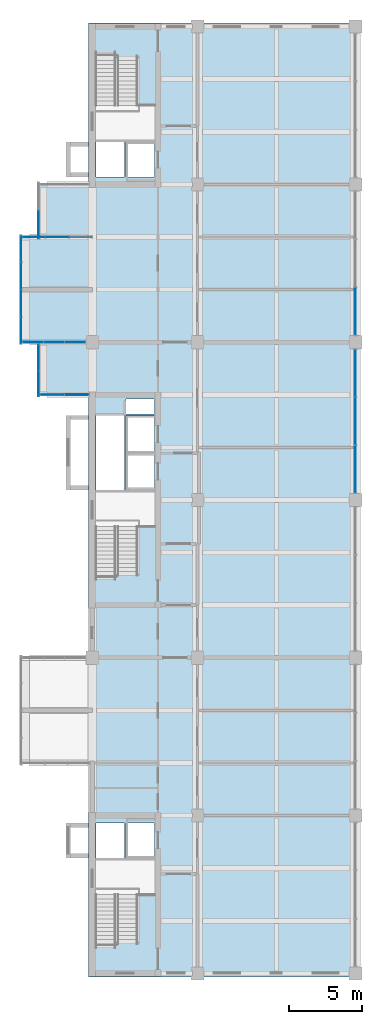
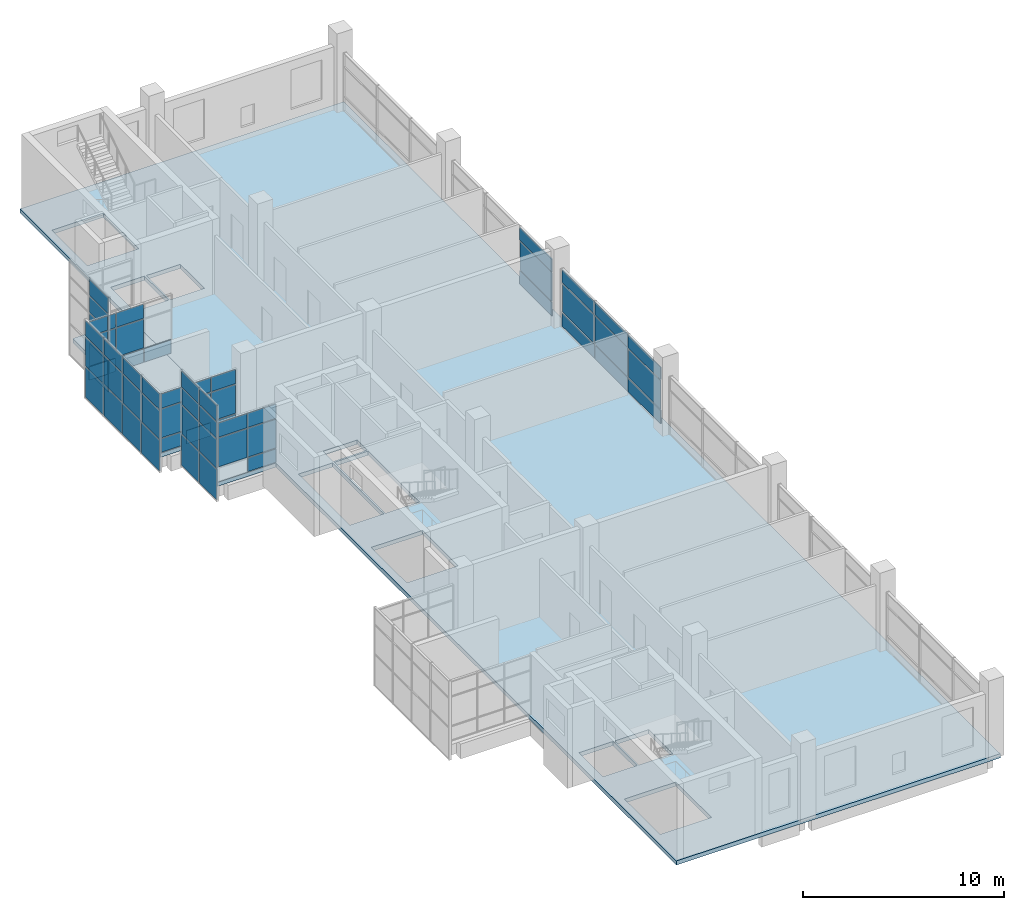
# One storey, part 10 of 15: 57 plates, 2 slabs, 8 elements without a shape of their own.
"""IFC4 building model written with IfcOpenShell, lengths in metres."""

from ifc_helpers import new_model, si_unit, direction, frame, origin, origin_2d, place, context, subcontext, project, spatial, polyline, rectangle, outline, extrude, material, layer, layer_set, type_object, element, aggregate, save


model = new_model("IFC4")

# Units and contexts
model_context = context("Model", 3, precision=1e-05, world=origin(), true_north=direction((0.0, 1.0)))
body_context = subcontext(model_context, "Body", "Model", "MODEL_VIEW")
ifc_project = project(units=[si_unit("LENGTHUNIT", "METRE"), si_unit("AREAUNIT", "SQUARE_METRE"), si_unit("VOLUMEUNIT", "CUBIC_METRE"), si_unit("PLANEANGLEUNIT", "RADIAN"), si_unit("MASSUNIT", "GRAM", prefix="KILO")], contexts=[model_context])

# Site, building, storey
site_placement = place(None, origin())
site = spatial("IfcSite", under=ifc_project, at=site_placement, CompositionType="ELEMENT")
building_placement = place(site_placement, origin())
building = spatial("IfcBuilding", under=site, at=building_placement, Name="Basin Gate Institute", CompositionType="ELEMENT")
storey_placement = place(building_placement, frame((0.0, 0.0, 55.800048828125)))
storey = spatial("IfcBuildingStorey", under=building, at=storey_placement, Name="L11", CompositionType="ELEMENT", Elevation=55.800048828125)

# Slabs
ifc_material_1 = material(Name="Concrete 40 MPa", Category="concrete")
ifc_layer_1 = layer(ifc_material_1, 0.25)
ifc_layer_set_1 = layer_set([ifc_layer_1], Name="Concrete 40 MPa")
slab_type = type_object("IfcSlabType", Name="Slab SL4 R120", PredefinedType="FLOOR", material=ifc_layer_set_1)
slab_1_placement = place(storey_placement, frame((0.0, 0.0, -0.25)))
element("IfcSlab", 1, at=slab_1_placement, inside=storey, type_object=slab_type, material=ifc_layer_set_1, Name="SLAB/L11/W", PredefinedType="FLOOR", context=body_context, shape_type="SweptSolid", body=[
    extrude(outline(polyline([(60.949951171875, 34.85009765625), (79.550048828125, 34.85009765625), (79.550048828125, 100.14990234375), (60.949951171875, 100.14990234375), (60.949951171875, 34.85009765625)]), holes=[polyline([(61.39990234375, 37.25), (64.35009765625, 37.25), (64.35009765625, 40.7900390625), (61.39990234375, 40.7900390625), (61.39990234375, 37.25)]), polyline([(61.39990234375, 62.449951171875), (64.35009765625, 62.449951171875), (64.35009765625, 65.989990234375), (61.39990234375, 65.989990234375), (61.39990234375, 62.449951171875)]), polyline([(61.39990234375, 94.2099609375), (64.35009765625, 94.2099609375), (64.35009765625, 97.75), (61.39990234375, 97.75), (61.39990234375, 94.2099609375)]), polyline([(61.449951171875, 43.0), (63.39990234375, 43.0), (63.39990234375, 45.39990234375), (61.449951171875, 45.39990234375), (61.449951171875, 43.0)]), polyline([(61.449951171875, 68.199951171875), (63.39990234375, 68.199951171875), (63.39990234375, 73.300048828125), (61.449951171875, 73.300048828125), (61.449951171875, 68.199951171875)]), polyline([(63.5, 73.39990234375), (65.449951171875, 73.39990234375), (65.449951171875, 74.39990234375), (63.5, 74.39990234375), (63.5, 73.39990234375)]), polyline([(61.449951171875, 89.60009765625), (63.39990234375, 89.60009765625), (63.39990234375, 92.0), (61.449951171875, 92.0), (61.449951171875, 89.60009765625)]), polyline([(63.5, 43.0), (65.449951171875, 43.0), (65.449951171875, 45.39990234375), (63.5, 45.39990234375), (63.5, 43.0)]), polyline([(65.449951171875, 68.199951171875), (63.5, 68.199951171875), (63.5, 73.300048828125), (65.449951171875, 73.300048828125), (65.449951171875, 68.199951171875)]), polyline([(63.5, 89.60009765625), (65.449951171875, 89.60009765625), (65.449951171875, 92.0), (63.5, 92.0), (63.5, 89.60009765625)])]), origin(), (0.0, 0.0, 1.0), 0.25),
])
slab_2_placement = place(storey_placement, frame((0.0, 0.0, -0.25)))
element("IfcSlab", 2, at=slab_2_placement, inside=storey, type_object=slab_type, material=ifc_layer_set_1, Name="SLAB/L11/WK21", PredefinedType="FLOOR", context=body_context, shape_type="SweptSolid", body=[
    extrude(outline(polyline([(57.60009765625, 74.699951171875), (57.60009765625, 78.300048828125), (56.39990234375, 78.300048828125), (56.39990234375, 85.5), (57.60009765625, 85.5), (57.60009765625, 89.10009765625), (60.949951171875, 89.10009765625), (60.949951171875, 74.699951171875), (57.60009765625, 74.699951171875)])), origin(), (0.0, 0.0, 1.0), 0.25),
])

# Curtain wall, plates
ifc_material_2 = material(Name="Aluminium-framed glazing", Category="aluminium")
ifc_layer_2 = layer(ifc_material_2, 0.199951171875)
ifc_layer_set_2 = layer_set([ifc_layer_2], Name="Atrium curtain wall CW2")
curtain_wall_type_1 = type_object("IfcCurtainWallType", Name="Atrium curtain wall CW2", PredefinedType="NOTDEFINED", material=ifc_layer_set_2)
curtain_wall_1_placement = place(storey_placement, origin())
curtain_wall_1 = element("IfcCurtainWall", 3, at=curtain_wall_1_placement, inside=storey, type_object=curtain_wall_type_1, material=ifc_layer_set_2, Name="Atrium curtain wall W wing atrium bay 4 L11", PredefinedType="NOTDEFINED")
ifc_material_3 = material(Name="Aluminium insulated spandrel panel", Category="aluminium")
ifc_layer_3 = layer(ifc_material_3, 0.050048828125)
ifc_layer_set_3 = layer_set([ifc_layer_3], Name="Spandrel panel PN2")
plate_type_1 = type_object("IfcPlateType", Name="Spandrel panel PN2", PredefinedType="CURTAIN_PANEL", material=ifc_layer_set_3)
plate_1_placement = place(storey_placement, frame((79.199951171875, 69.614990234375, 0.059814453125), z_axis=(0.0, 0.0, 1.0), x_axis=(0.0, 1.0, 0.0)))
plate_1 = element("IfcPlate", 4, at=plate_1_placement, type_object=plate_type_1, material=ifc_layer_set_3, Name="CW2 spandrel panel 1.1", PredefinedType="CURTAIN_PANEL", context=body_context, shape_type="SweptSolid", body=[
    extrude(rectangle(XDim=3.2099609375, YDim=0.050048828125, at=origin_2d()), origin(), (0.0, 0.0, 1.0), 0.81005859375),
])
plate_2_placement = place(storey_placement, frame((79.199951171875, 69.614990234375, 2.72998046875), z_axis=(0.0, 0.0, 1.0), x_axis=(0.0, 1.0, 0.0)))
plate_2 = element("IfcPlate", 5, at=plate_2_placement, type_object=plate_type_1, material=ifc_layer_set_3, Name="CW2 spandrel panel 1.3", PredefinedType="CURTAIN_PANEL", context=body_context, shape_type="SweptSolid", body=[
    extrude(rectangle(XDim=3.2099609375, YDim=0.050048828125, at=origin_2d()), origin(), (0.0, 0.0, 1.0), 0.760009765625),
])
plate_3_placement = place(storey_placement, frame((79.199951171875, 72.89990234375, 0.059814453125), z_axis=(0.0, 0.0, 1.0), x_axis=(0.0, 1.0, 0.0)))
plate_3 = element("IfcPlate", 6, at=plate_3_placement, type_object=plate_type_1, material=ifc_layer_set_3, Name="CW2 spandrel panel 2.1", PredefinedType="CURTAIN_PANEL", context=body_context, shape_type="SweptSolid", body=[
    extrude(rectangle(XDim=3.239990234375, YDim=0.050048828125, at=origin_2d()), origin(), (0.0, 0.0, 1.0), 0.81005859375),
])
plate_4_placement = place(storey_placement, frame((79.199951171875, 72.89990234375, 2.72998046875), z_axis=(0.0, 0.0, 1.0), x_axis=(0.0, 1.0, 0.0)))
plate_4 = element("IfcPlate", 7, at=plate_4_placement, type_object=plate_type_1, material=ifc_layer_set_3, Name="CW2 spandrel panel 2.3", PredefinedType="CURTAIN_PANEL", context=body_context, shape_type="SweptSolid", body=[
    extrude(rectangle(XDim=3.239990234375, YDim=0.050048828125, at=origin_2d()), origin(), (0.0, 0.0, 1.0), 0.760009765625),
])
plate_5_placement = place(storey_placement, frame((79.199951171875, 76.18505859375, 0.059814453125), z_axis=(0.0, 0.0, 1.0), x_axis=(0.0, 1.0, 0.0)))
plate_5 = element("IfcPlate", 8, at=plate_5_placement, type_object=plate_type_1, material=ifc_layer_set_3, Name="CW2 spandrel panel 3.1", PredefinedType="CURTAIN_PANEL", context=body_context, shape_type="SweptSolid", body=[
    extrude(rectangle(XDim=3.2099609375, YDim=0.050048828125, at=origin_2d()), origin(), (0.0, 0.0, 1.0), 0.81005859375),
])
plate_6_placement = place(storey_placement, frame((79.199951171875, 76.18505859375, 2.72998046875), z_axis=(0.0, 0.0, 1.0), x_axis=(0.0, 1.0, 0.0)))
plate_6 = element("IfcPlate", 9, at=plate_6_placement, type_object=plate_type_1, material=ifc_layer_set_3, Name="CW2 spandrel panel 3.3", PredefinedType="CURTAIN_PANEL", context=body_context, shape_type="SweptSolid", body=[
    extrude(rectangle(XDim=3.2099609375, YDim=0.050048828125, at=origin_2d()), origin(), (0.0, 0.0, 1.0), 0.760009765625),
])

curtain_wall_2_placement = place(storey_placement, origin())
curtain_wall_2 = element("IfcCurtainWall", 10, at=curtain_wall_2_placement, inside=storey, type_object=curtain_wall_type_1, material=ifc_layer_set_2, Name="Atrium curtain wall W wing atrium bay 5 L11", PredefinedType="NOTDEFINED")
plate_7_placement = place(storey_placement, frame((79.199951171875, 80.4150390625, 0.059814453125), z_axis=(0.0, 0.0, 1.0), x_axis=(0.0, 1.0, 0.0)))
plate_7 = element("IfcPlate", 11, at=plate_7_placement, type_object=plate_type_1, material=ifc_layer_set_3, Name="CW2 spandrel panel 1.1", PredefinedType="CURTAIN_PANEL", context=body_context, shape_type="SweptSolid", body=[
    extrude(rectangle(XDim=3.2099609375, YDim=0.050048828125, at=origin_2d()), origin(), (0.0, 0.0, 1.0), 0.81005859375),
])
plate_8_placement = place(storey_placement, frame((79.199951171875, 80.4150390625, 2.72998046875), z_axis=(0.0, 0.0, 1.0), x_axis=(0.0, 1.0, 0.0)))
plate_8 = element("IfcPlate", 12, at=plate_8_placement, type_object=plate_type_1, material=ifc_layer_set_3, Name="CW2 spandrel panel 1.3", PredefinedType="CURTAIN_PANEL", context=body_context, shape_type="SweptSolid", body=[
    extrude(rectangle(XDim=3.2099609375, YDim=0.050048828125, at=origin_2d()), origin(), (0.0, 0.0, 1.0), 0.760009765625),
])

# Curtain wall, plate
ifc_material_4 = material(Name="Aluminium-framed glazing", Category="aluminium")
ifc_layer_4 = layer(ifc_material_4, 0.14990234375)
ifc_layer_set_4 = layer_set([ifc_layer_4], Name="Capsule front curtain wall CW1")
curtain_wall_type_2 = type_object("IfcCurtainWallType", Name="Capsule front curtain wall CW1", PredefinedType="NOTDEFINED", material=ifc_layer_set_4)
curtain_wall_3_placement = place(storey_placement, origin())
curtain_wall_3 = element("IfcCurtainWall", 13, at=curtain_wall_3_placement, inside=storey, type_object=curtain_wall_type_2, material=ifc_layer_set_4, Name="Capsule front curtain wall W wing capsule end L11 line 12", PredefinedType="NOTDEFINED")
plate_9_placement = place(storey_placement, frame((60.137451171875, 74.699951171875, 0.059814453125), z_axis=(0.0, 0.0, 1.0), x_axis=(1.0, 0.0, 0.0)))
plate_9 = element("IfcPlate", 14, at=plate_9_placement, type_object=plate_type_1, material=ifc_layer_set_3, Name="CW1 spandrel panel 2.1", PredefinedType="CURTAIN_PANEL", context=body_context, shape_type="SweptSolid", body=[
    extrude(rectangle(XDim=1.625, YDim=0.050048828125, at=origin_2d()), origin(), (0.0, 0.0, 1.0), 0.81005859375),
])

# Curtain wall, plates
curtain_wall_4_placement = place(storey_placement, origin())
curtain_wall_4 = element("IfcCurtainWall", 15, at=curtain_wall_4_placement, inside=storey, type_object=curtain_wall_type_2, material=ifc_layer_set_4, Name="Capsule front curtain wall W wing capsule end L11 line 13", PredefinedType="NOTDEFINED")
plate_10_placement = place(storey_placement, frame((57.137451171875, 78.300048828125, 0.059814453125), z_axis=(0.0, 0.0, 1.0), x_axis=(1.0, 0.0, 0.0)))
plate_10 = element("IfcPlate", 16, at=plate_10_placement, type_object=plate_type_1, material=ifc_layer_set_3, Name="CW1 spandrel panel 1.1", PredefinedType="CURTAIN_PANEL", context=body_context, shape_type="SweptSolid", body=[
    extrude(rectangle(XDim=1.375, YDim=0.050048828125, at=origin_2d()), origin(), (0.0, 0.0, 1.0), 0.81005859375),
])
plate_11_placement = place(storey_placement, frame((58.574951171875, 78.300048828125, 0.059814453125), z_axis=(0.0, 0.0, 1.0), x_axis=(1.0, 0.0, 0.0)))
plate_11 = element("IfcPlate", 17, at=plate_11_placement, type_object=plate_type_1, material=ifc_layer_set_3, Name="CW1 spandrel panel 2.1", PredefinedType="CURTAIN_PANEL", context=body_context, shape_type="SweptSolid", body=[
    extrude(rectangle(XDim=1.39990234375, YDim=0.050048828125, at=origin_2d()), origin(), (0.0, 0.0, 1.0), 0.81005859375),
])
plate_12_placement = place(storey_placement, frame((60.012451171875, 78.300048828125, 0.059814453125), z_axis=(0.0, 0.0, 1.0), x_axis=(1.0, 0.0, 0.0)))
plate_12 = element("IfcPlate", 18, at=plate_12_placement, type_object=plate_type_1, material=ifc_layer_set_3, Name="CW1 spandrel panel 3.1", PredefinedType="CURTAIN_PANEL", context=body_context, shape_type="SweptSolid", body=[
    extrude(rectangle(XDim=1.375, YDim=0.050048828125, at=origin_2d()), origin(), (0.0, 0.0, 1.0), 0.81005859375),
])

curtain_wall_5_placement = place(storey_placement, origin())
curtain_wall_5 = element("IfcCurtainWall", 19, at=curtain_wall_5_placement, inside=storey, type_object=curtain_wall_type_2, material=ifc_layer_set_4, Name="Capsule front curtain wall W wing capsule end L11 line 15", PredefinedType="NOTDEFINED")
plate_13_placement = place(storey_placement, frame((57.21240234375, 85.5, 0.059814453125), z_axis=(0.0, 0.0, 1.0), x_axis=(1.0, 0.0, 0.0)))
plate_13 = element("IfcPlate", 20, at=plate_13_placement, type_object=plate_type_1, material=ifc_layer_set_3, Name="CW1 spandrel panel 1.1", PredefinedType="CURTAIN_PANEL", context=body_context, shape_type="SweptSolid", body=[
    extrude(rectangle(XDim=1.52490234375, YDim=0.050048828125, at=origin_2d()), origin(), (0.0, 0.0, 1.0), 0.81005859375),
])
plate_14_placement = place(storey_placement, frame((58.800048828125, 85.5, 0.059814453125), z_axis=(0.0, 0.0, 1.0), x_axis=(1.0, 0.0, 0.0)))
plate_14 = element("IfcPlate", 21, at=plate_14_placement, type_object=plate_type_1, material=ifc_layer_set_3, Name="CW1 spandrel panel 2.1", PredefinedType="CURTAIN_PANEL", context=body_context, shape_type="SweptSolid", body=[
    extrude(rectangle(XDim=1.550048828125, YDim=0.050048828125, at=origin_2d()), origin(), (0.0, 0.0, 1.0), 0.81005859375),
])
plate_15_placement = place(storey_placement, frame((60.387451171875, 85.5, 0.059814453125), z_axis=(0.0, 0.0, 1.0), x_axis=(1.0, 0.0, 0.0)))
plate_15 = element("IfcPlate", 22, at=plate_15_placement, type_object=plate_type_1, material=ifc_layer_set_3, Name="CW1 spandrel panel 3.1", PredefinedType="CURTAIN_PANEL", context=body_context, shape_type="SweptSolid", body=[
    extrude(rectangle(XDim=1.52490234375, YDim=0.050048828125, at=origin_2d()), origin(), (0.0, 0.0, 1.0), 0.81005859375),
])

curtain_wall_6_placement = place(storey_placement, origin())
curtain_wall_6 = element("IfcCurtainWall", 23, at=curtain_wall_6_placement, inside=storey, type_object=curtain_wall_type_2, material=ifc_layer_set_4, Name="Capsule front curtain wall W wing capsule 2 L11 front 1", PredefinedType="NOTDEFINED")
plate_16_placement = place(storey_placement, frame((57.52490234375, 75.46240234375, -0.990234375), z_axis=(0.0, 0.0, 1.0), x_axis=(0.0, 1.0, 0.0)))
plate_16 = element("IfcPlate", 24, at=plate_16_placement, type_object=plate_type_1, material=ifc_layer_set_3, Name="CW1 spandrel panel 1.1", PredefinedType="CURTAIN_PANEL", context=body_context, shape_type="SweptSolid", body=[
    extrude(rectangle(XDim=1.72509765625, YDim=0.050048828125, at=origin_2d()), origin(), (0.0, 0.0, 1.0), 1.860107421875),
])
plate_17_placement = place(storey_placement, frame((57.52490234375, 75.46240234375, 3.780029296875), z_axis=(0.0, 0.0, 1.0), x_axis=(0.0, 1.0, 0.0)))
plate_17 = element("IfcPlate", 25, at=plate_17_placement, type_object=plate_type_1, material=ifc_layer_set_3, Name="CW1 spandrel panel 1.4", PredefinedType="CURTAIN_PANEL", context=body_context, shape_type="SweptSolid", body=[
    extrude(rectangle(XDim=1.72509765625, YDim=0.050048828125, at=origin_2d()), origin(), (0.0, 0.0, 1.0), 0.9599609375),
])
plate_18_placement = place(storey_placement, frame((57.52490234375, 77.237548828125, -0.990234375), z_axis=(0.0, 0.0, 1.0), x_axis=(0.0, 1.0, 0.0)))
plate_18 = element("IfcPlate", 26, at=plate_18_placement, type_object=plate_type_1, material=ifc_layer_set_3, Name="CW1 spandrel panel 2.1", PredefinedType="CURTAIN_PANEL", context=body_context, shape_type="SweptSolid", body=[
    extrude(rectangle(XDim=1.72509765625, YDim=0.050048828125, at=origin_2d()), origin(), (0.0, 0.0, 1.0), 1.860107421875),
])
plate_19_placement = place(storey_placement, frame((57.52490234375, 77.237548828125, 3.780029296875), z_axis=(0.0, 0.0, 1.0), x_axis=(0.0, 1.0, 0.0)))
plate_19 = element("IfcPlate", 27, at=plate_19_placement, type_object=plate_type_1, material=ifc_layer_set_3, Name="CW1 spandrel panel 2.4", PredefinedType="CURTAIN_PANEL", context=body_context, shape_type="SweptSolid", body=[
    extrude(rectangle(XDim=1.72509765625, YDim=0.050048828125, at=origin_2d()), origin(), (0.0, 0.0, 1.0), 0.9599609375),
])

curtain_wall_7_placement = place(storey_placement, origin())
curtain_wall_7 = element("IfcCurtainWall", 28, at=curtain_wall_7_placement, inside=storey, type_object=curtain_wall_type_2, material=ifc_layer_set_4, Name="Capsule front curtain wall W wing capsule 2 L11 front 2", PredefinedType="NOTDEFINED")
plate_20_placement = place(storey_placement, frame((56.324951171875, 79.10009765625, -0.990234375), z_axis=(0.0, 0.0, 1.0), x_axis=(0.0, 1.0, 0.0)))
plate_20 = element("IfcPlate", 29, at=plate_20_placement, type_object=plate_type_1, material=ifc_layer_set_3, Name="CW1 spandrel panel 1.1", PredefinedType="CURTAIN_PANEL", context=body_context, shape_type="SweptSolid", body=[
    extrude(rectangle(XDim=1.800048828125, YDim=0.050048828125, at=origin_2d()), origin(), (0.0, 0.0, 1.0), 1.860107421875),
])
plate_21_placement = place(storey_placement, frame((56.324951171875, 80.96240234375, -0.990234375), z_axis=(0.0, 0.0, 1.0), x_axis=(0.0, 1.0, 0.0)))
plate_21 = element("IfcPlate", 30, at=plate_21_placement, type_object=plate_type_1, material=ifc_layer_set_3, Name="CW1 spandrel panel 2.1", PredefinedType="CURTAIN_PANEL", context=body_context, shape_type="SweptSolid", body=[
    extrude(rectangle(XDim=1.824951171875, YDim=0.050048828125, at=origin_2d()), origin(), (0.0, 0.0, 1.0), 1.860107421875),
])
plate_22_placement = place(storey_placement, frame((56.324951171875, 82.83740234375, -0.990234375), z_axis=(0.0, 0.0, 1.0), x_axis=(0.0, 1.0, 0.0)))
plate_22 = element("IfcPlate", 31, at=plate_22_placement, type_object=plate_type_1, material=ifc_layer_set_3, Name="CW1 spandrel panel 3.1", PredefinedType="CURTAIN_PANEL", context=body_context, shape_type="SweptSolid", body=[
    extrude(rectangle(XDim=1.824951171875, YDim=0.050048828125, at=origin_2d()), origin(), (0.0, 0.0, 1.0), 1.860107421875),
])
plate_23_placement = place(storey_placement, frame((56.324951171875, 84.699951171875, -0.990234375), z_axis=(0.0, 0.0, 1.0), x_axis=(0.0, 1.0, 0.0)))
plate_23 = element("IfcPlate", 32, at=plate_23_placement, type_object=plate_type_1, material=ifc_layer_set_3, Name="CW1 spandrel panel 4.1", PredefinedType="CURTAIN_PANEL", context=body_context, shape_type="SweptSolid", body=[
    extrude(rectangle(XDim=1.800048828125, YDim=0.050048828125, at=origin_2d()), origin(), (0.0, 0.0, 1.0), 1.860107421875),
])

curtain_wall_8_placement = place(storey_placement, origin())
curtain_wall_8 = element("IfcCurtainWall", 33, at=curtain_wall_8_placement, inside=storey, type_object=curtain_wall_type_2, material=ifc_layer_set_4, Name="Capsule front curtain wall W wing capsule 2 L11 front 4", PredefinedType="NOTDEFINED")
plate_24_placement = place(storey_placement, frame((57.52490234375, 86.33740234375, -0.990234375), z_axis=(0.0, 0.0, 1.0), x_axis=(0.0, 1.0, 0.0)))
plate_24 = element("IfcPlate", 34, at=plate_24_placement, type_object=plate_type_1, material=ifc_layer_set_3, Name="CW1 spandrel panel 1.1", PredefinedType="CURTAIN_PANEL", context=body_context, shape_type="SweptSolid", body=[
    extrude(rectangle(XDim=1.875, YDim=0.050048828125, at=origin_2d()), origin(), (0.0, 0.0, 1.0), 1.860107421875),
])
plate_25_placement = place(storey_placement, frame((57.52490234375, 86.33740234375, 3.780029296875), z_axis=(0.0, 0.0, 1.0), x_axis=(0.0, 1.0, 0.0)))
plate_25 = element("IfcPlate", 35, at=plate_25_placement, type_object=plate_type_1, material=ifc_layer_set_3, Name="CW1 spandrel panel 1.4", PredefinedType="CURTAIN_PANEL", context=body_context, shape_type="SweptSolid", body=[
    extrude(rectangle(XDim=1.875, YDim=0.050048828125, at=origin_2d()), origin(), (0.0, 0.0, 1.0), 0.9599609375),
])

# Plate
ifc_material_5 = material(Name="Double glazed unit")
ifc_layer_5 = layer(ifc_material_5, 0.028076171875)
ifc_layer_set_5 = layer_set([ifc_layer_5], Name="Vision panel PN1")
plate_type_2 = type_object("IfcPlateType", Name="Vision panel PN1", PredefinedType="CURTAIN_PANEL", material=ifc_layer_set_5)
plate_26_placement = place(storey_placement, frame((79.199951171875, 69.614990234375, 0.93017578125), z_axis=(0.0, 0.0, 1.0), x_axis=(0.0, 1.0, 0.0)))
plate_26 = element("IfcPlate", 36, at=plate_26_placement, type_object=plate_type_2, material=ifc_layer_set_5, Name="CW2 vision panel 1.2", PredefinedType="CURTAIN_PANEL", context=body_context, shape_type="SweptSolid", body=[
    extrude(rectangle(XDim=3.2099609375, YDim=0.028076171875, at=origin_2d()), origin(), (0.0, 0.0, 1.0), 1.739990234375),
])

plate_27_placement = place(storey_placement, frame((79.199951171875, 72.89990234375, 0.93017578125), z_axis=(0.0, 0.0, 1.0), x_axis=(0.0, 1.0, 0.0)))
plate_27 = element("IfcPlate", 37, at=plate_27_placement, type_object=plate_type_2, material=ifc_layer_set_5, Name="CW2 vision panel 2.2", PredefinedType="CURTAIN_PANEL", context=body_context, shape_type="SweptSolid", body=[
    extrude(rectangle(XDim=3.239990234375, YDim=0.028076171875, at=origin_2d()), origin(), (0.0, 0.0, 1.0), 1.739990234375),
])

plate_28_placement = place(storey_placement, frame((79.199951171875, 76.18505859375, 0.93017578125), z_axis=(0.0, 0.0, 1.0), x_axis=(0.0, 1.0, 0.0)))
plate_28 = element("IfcPlate", 38, at=plate_28_placement, type_object=plate_type_2, material=ifc_layer_set_5, Name="CW2 vision panel 3.2", PredefinedType="CURTAIN_PANEL", context=body_context, shape_type="SweptSolid", body=[
    extrude(rectangle(XDim=3.2099609375, YDim=0.028076171875, at=origin_2d()), origin(), (0.0, 0.0, 1.0), 1.739990234375),
])

aggregate(curtain_wall_1, [plate_1, plate_26, plate_2, plate_3, plate_27, plate_4, plate_5, plate_28, plate_6])

plate_29_placement = place(storey_placement, frame((79.199951171875, 80.4150390625, 0.93017578125), z_axis=(0.0, 0.0, 1.0), x_axis=(0.0, 1.0, 0.0)))
plate_29 = element("IfcPlate", 39, at=plate_29_placement, type_object=plate_type_2, material=ifc_layer_set_5, Name="CW2 vision panel 1.2", PredefinedType="CURTAIN_PANEL", context=body_context, shape_type="SweptSolid", body=[
    extrude(rectangle(XDim=3.2099609375, YDim=0.028076171875, at=origin_2d()), origin(), (0.0, 0.0, 1.0), 1.739990234375),
])

aggregate(curtain_wall_2, [plate_7, plate_29, plate_8])

plate_30_placement = place(storey_placement, frame((58.46240234375, 74.699951171875, 0.93017578125), z_axis=(0.0, 0.0, 1.0), x_axis=(1.0, 0.0, 0.0)))
plate_30 = element("IfcPlate", 40, at=plate_30_placement, type_object=plate_type_2, material=ifc_layer_set_5, Name="CW1 vision panel 1.2", PredefinedType="CURTAIN_PANEL", context=body_context, shape_type="SweptSolid", body=[
    extrude(rectangle(XDim=1.625, YDim=0.028076171875, at=origin_2d()), origin(), (0.0, 0.0, 1.0), 1.739990234375),
])

plate_31_placement = place(storey_placement, frame((58.46240234375, 74.699951171875, 2.72998046875), z_axis=(0.0, 0.0, 1.0), x_axis=(1.0, 0.0, 0.0)))
plate_31 = element("IfcPlate", 41, at=plate_31_placement, type_object=plate_type_2, material=ifc_layer_set_5, Name="CW1 vision panel 1.3", PredefinedType="CURTAIN_PANEL", context=body_context, shape_type="SweptSolid", body=[
    extrude(rectangle(XDim=1.625, YDim=0.028076171875, at=origin_2d()), origin(), (0.0, 0.0, 1.0), 0.860107421875),
])

plate_32_placement = place(storey_placement, frame((60.137451171875, 74.699951171875, 0.93017578125), z_axis=(0.0, 0.0, 1.0), x_axis=(1.0, 0.0, 0.0)))
plate_32 = element("IfcPlate", 42, at=plate_32_placement, type_object=plate_type_2, material=ifc_layer_set_5, Name="CW1 vision panel 2.2", PredefinedType="CURTAIN_PANEL", context=body_context, shape_type="SweptSolid", body=[
    extrude(rectangle(XDim=1.625, YDim=0.028076171875, at=origin_2d()), origin(), (0.0, 0.0, 1.0), 1.739990234375),
])

plate_33_placement = place(storey_placement, frame((60.137451171875, 74.699951171875, 2.72998046875), z_axis=(0.0, 0.0, 1.0), x_axis=(1.0, 0.0, 0.0)))
plate_33 = element("IfcPlate", 43, at=plate_33_placement, type_object=plate_type_2, material=ifc_layer_set_5, Name="CW1 vision panel 2.3", PredefinedType="CURTAIN_PANEL", context=body_context, shape_type="SweptSolid", body=[
    extrude(rectangle(XDim=1.625, YDim=0.028076171875, at=origin_2d()), origin(), (0.0, 0.0, 1.0), 0.860107421875),
])

aggregate(curtain_wall_3, [plate_30, plate_31, plate_9, plate_32, plate_33])

plate_34_placement = place(storey_placement, frame((57.137451171875, 78.300048828125, 0.93017578125), z_axis=(0.0, 0.0, 1.0), x_axis=(1.0, 0.0, 0.0)))
plate_34 = element("IfcPlate", 44, at=plate_34_placement, type_object=plate_type_2, material=ifc_layer_set_5, Name="CW1 vision panel 1.2", PredefinedType="CURTAIN_PANEL", context=body_context, shape_type="SweptSolid", body=[
    extrude(rectangle(XDim=1.375, YDim=0.028076171875, at=origin_2d()), origin(), (0.0, 0.0, 1.0), 1.739990234375),
])

plate_35_placement = place(storey_placement, frame((57.137451171875, 78.300048828125, 2.72998046875), z_axis=(0.0, 0.0, 1.0), x_axis=(1.0, 0.0, 0.0)))
plate_35 = element("IfcPlate", 45, at=plate_35_placement, type_object=plate_type_2, material=ifc_layer_set_5, Name="CW1 vision panel 1.3", PredefinedType="CURTAIN_PANEL", context=body_context, shape_type="SweptSolid", body=[
    extrude(rectangle(XDim=1.375, YDim=0.028076171875, at=origin_2d()), origin(), (0.0, 0.0, 1.0), 0.860107421875),
])

plate_36_placement = place(storey_placement, frame((58.574951171875, 78.300048828125, 0.93017578125), z_axis=(0.0, 0.0, 1.0), x_axis=(1.0, 0.0, 0.0)))
plate_36 = element("IfcPlate", 46, at=plate_36_placement, type_object=plate_type_2, material=ifc_layer_set_5, Name="CW1 vision panel 2.2", PredefinedType="CURTAIN_PANEL", context=body_context, shape_type="SweptSolid", body=[
    extrude(rectangle(XDim=1.39990234375, YDim=0.028076171875, at=origin_2d()), origin(), (0.0, 0.0, 1.0), 1.739990234375),
])

plate_37_placement = place(storey_placement, frame((58.574951171875, 78.300048828125, 2.72998046875), z_axis=(0.0, 0.0, 1.0), x_axis=(1.0, 0.0, 0.0)))
plate_37 = element("IfcPlate", 47, at=plate_37_placement, type_object=plate_type_2, material=ifc_layer_set_5, Name="CW1 vision panel 2.3", PredefinedType="CURTAIN_PANEL", context=body_context, shape_type="SweptSolid", body=[
    extrude(rectangle(XDim=1.39990234375, YDim=0.028076171875, at=origin_2d()), origin(), (0.0, 0.0, 1.0), 0.860107421875),
])

plate_38_placement = place(storey_placement, frame((60.012451171875, 78.300048828125, 0.93017578125), z_axis=(0.0, 0.0, 1.0), x_axis=(1.0, 0.0, 0.0)))
plate_38 = element("IfcPlate", 48, at=plate_38_placement, type_object=plate_type_2, material=ifc_layer_set_5, Name="CW1 vision panel 3.2", PredefinedType="CURTAIN_PANEL", context=body_context, shape_type="SweptSolid", body=[
    extrude(rectangle(XDim=1.375, YDim=0.028076171875, at=origin_2d()), origin(), (0.0, 0.0, 1.0), 1.739990234375),
])

plate_39_placement = place(storey_placement, frame((60.012451171875, 78.300048828125, 2.72998046875), z_axis=(0.0, 0.0, 1.0), x_axis=(1.0, 0.0, 0.0)))
plate_39 = element("IfcPlate", 49, at=plate_39_placement, type_object=plate_type_2, material=ifc_layer_set_5, Name="CW1 vision panel 3.3", PredefinedType="CURTAIN_PANEL", context=body_context, shape_type="SweptSolid", body=[
    extrude(rectangle(XDim=1.375, YDim=0.028076171875, at=origin_2d()), origin(), (0.0, 0.0, 1.0), 0.860107421875),
])

aggregate(curtain_wall_4, [plate_10, plate_34, plate_35, plate_11, plate_36, plate_37, plate_12, plate_38, plate_39])

plate_40_placement = place(storey_placement, frame((57.21240234375, 85.5, 0.93017578125), z_axis=(0.0, 0.0, 1.0), x_axis=(1.0, 0.0, 0.0)))
plate_40 = element("IfcPlate", 50, at=plate_40_placement, type_object=plate_type_2, material=ifc_layer_set_5, Name="CW1 vision panel 1.2", PredefinedType="CURTAIN_PANEL", context=body_context, shape_type="SweptSolid", body=[
    extrude(rectangle(XDim=1.52490234375, YDim=0.028076171875, at=origin_2d()), origin(), (0.0, 0.0, 1.0), 1.739990234375),
])

plate_41_placement = place(storey_placement, frame((57.21240234375, 85.5, 2.72998046875), z_axis=(0.0, 0.0, 1.0), x_axis=(1.0, 0.0, 0.0)))
plate_41 = element("IfcPlate", 51, at=plate_41_placement, type_object=plate_type_2, material=ifc_layer_set_5, Name="CW1 vision panel 1.3", PredefinedType="CURTAIN_PANEL", context=body_context, shape_type="SweptSolid", body=[
    extrude(rectangle(XDim=1.52490234375, YDim=0.028076171875, at=origin_2d()), origin(), (0.0, 0.0, 1.0), 0.860107421875),
])

plate_42_placement = place(storey_placement, frame((58.800048828125, 85.5, 0.93017578125), z_axis=(0.0, 0.0, 1.0), x_axis=(1.0, 0.0, 0.0)))
plate_42 = element("IfcPlate", 52, at=plate_42_placement, type_object=plate_type_2, material=ifc_layer_set_5, Name="CW1 vision panel 2.2", PredefinedType="CURTAIN_PANEL", context=body_context, shape_type="SweptSolid", body=[
    extrude(rectangle(XDim=1.550048828125, YDim=0.028076171875, at=origin_2d()), origin(), (0.0, 0.0, 1.0), 1.739990234375),
])

plate_43_placement = place(storey_placement, frame((58.800048828125, 85.5, 2.72998046875), z_axis=(0.0, 0.0, 1.0), x_axis=(1.0, 0.0, 0.0)))
plate_43 = element("IfcPlate", 53, at=plate_43_placement, type_object=plate_type_2, material=ifc_layer_set_5, Name="CW1 vision panel 2.3", PredefinedType="CURTAIN_PANEL", context=body_context, shape_type="SweptSolid", body=[
    extrude(rectangle(XDim=1.550048828125, YDim=0.028076171875, at=origin_2d()), origin(), (0.0, 0.0, 1.0), 0.860107421875),
])

aggregate(curtain_wall_5, [plate_13, plate_40, plate_41, plate_14, plate_42, plate_43, plate_15])

plate_44_placement = place(storey_placement, frame((57.52490234375, 75.46240234375, 0.93017578125), z_axis=(0.0, 0.0, 1.0), x_axis=(0.0, 1.0, 0.0)))
plate_44 = element("IfcPlate", 54, at=plate_44_placement, type_object=plate_type_2, material=ifc_layer_set_5, Name="CW1 vision panel 1.2", PredefinedType="CURTAIN_PANEL", context=body_context, shape_type="SweptSolid", body=[
    extrude(rectangle(XDim=1.72509765625, YDim=0.028076171875, at=origin_2d()), origin(), (0.0, 0.0, 1.0), 1.739990234375),
])

plate_45_placement = place(storey_placement, frame((57.52490234375, 75.46240234375, 2.72998046875), z_axis=(0.0, 0.0, 1.0), x_axis=(0.0, 1.0, 0.0)))
plate_45 = element("IfcPlate", 55, at=plate_45_placement, type_object=plate_type_2, material=ifc_layer_set_5, Name="CW1 vision panel 1.3", PredefinedType="CURTAIN_PANEL", context=body_context, shape_type="SweptSolid", body=[
    extrude(rectangle(XDim=1.72509765625, YDim=0.028076171875, at=origin_2d()), origin(), (0.0, 0.0, 1.0), 0.989990234375),
])

plate_46_placement = place(storey_placement, frame((57.52490234375, 77.237548828125, 0.93017578125), z_axis=(0.0, 0.0, 1.0), x_axis=(0.0, 1.0, 0.0)))
plate_46 = element("IfcPlate", 56, at=plate_46_placement, type_object=plate_type_2, material=ifc_layer_set_5, Name="CW1 vision panel 2.2", PredefinedType="CURTAIN_PANEL", context=body_context, shape_type="SweptSolid", body=[
    extrude(rectangle(XDim=1.72509765625, YDim=0.028076171875, at=origin_2d()), origin(), (0.0, 0.0, 1.0), 1.739990234375),
])

plate_47_placement = place(storey_placement, frame((57.52490234375, 77.237548828125, 2.72998046875), z_axis=(0.0, 0.0, 1.0), x_axis=(0.0, 1.0, 0.0)))
plate_47 = element("IfcPlate", 57, at=plate_47_placement, type_object=plate_type_2, material=ifc_layer_set_5, Name="CW1 vision panel 2.3", PredefinedType="CURTAIN_PANEL", context=body_context, shape_type="SweptSolid", body=[
    extrude(rectangle(XDim=1.72509765625, YDim=0.028076171875, at=origin_2d()), origin(), (0.0, 0.0, 1.0), 0.989990234375),
])

aggregate(curtain_wall_6, [plate_16, plate_44, plate_45, plate_17, plate_18, plate_46, plate_47, plate_19])

plate_48_placement = place(storey_placement, frame((56.324951171875, 79.10009765625, 0.93017578125), z_axis=(0.0, 0.0, 1.0), x_axis=(0.0, 1.0, 0.0)))
plate_48 = element("IfcPlate", 58, at=plate_48_placement, type_object=plate_type_2, material=ifc_layer_set_5, Name="CW1 vision panel 1.2", PredefinedType="CURTAIN_PANEL", context=body_context, shape_type="SweptSolid", body=[
    extrude(rectangle(XDim=1.800048828125, YDim=0.028076171875, at=origin_2d()), origin(), (0.0, 0.0, 1.0), 1.739990234375),
])

plate_49_placement = place(storey_placement, frame((56.324951171875, 79.10009765625, 2.72998046875), z_axis=(0.0, 0.0, 1.0), x_axis=(0.0, 1.0, 0.0)))
plate_49 = element("IfcPlate", 59, at=plate_49_placement, type_object=plate_type_2, material=ifc_layer_set_5, Name="CW1 vision panel 1.3", PredefinedType="CURTAIN_PANEL", context=body_context, shape_type="SweptSolid", body=[
    extrude(rectangle(XDim=1.800048828125, YDim=0.028076171875, at=origin_2d()), origin(), (0.0, 0.0, 1.0), 0.9599609375),
])

plate_50_placement = place(storey_placement, frame((56.324951171875, 80.96240234375, 0.93017578125), z_axis=(0.0, 0.0, 1.0), x_axis=(0.0, 1.0, 0.0)))
plate_50 = element("IfcPlate", 60, at=plate_50_placement, type_object=plate_type_2, material=ifc_layer_set_5, Name="CW1 vision panel 2.2", PredefinedType="CURTAIN_PANEL", context=body_context, shape_type="SweptSolid", body=[
    extrude(rectangle(XDim=1.824951171875, YDim=0.028076171875, at=origin_2d()), origin(), (0.0, 0.0, 1.0), 1.739990234375),
])

plate_51_placement = place(storey_placement, frame((56.324951171875, 80.96240234375, 2.72998046875), z_axis=(0.0, 0.0, 1.0), x_axis=(0.0, 1.0, 0.0)))
plate_51 = element("IfcPlate", 61, at=plate_51_placement, type_object=plate_type_2, material=ifc_layer_set_5, Name="CW1 vision panel 2.3", PredefinedType="CURTAIN_PANEL", context=body_context, shape_type="SweptSolid", body=[
    extrude(rectangle(XDim=1.824951171875, YDim=0.028076171875, at=origin_2d()), origin(), (0.0, 0.0, 1.0), 0.9599609375),
])

plate_52_placement = place(storey_placement, frame((56.324951171875, 82.83740234375, 0.93017578125), z_axis=(0.0, 0.0, 1.0), x_axis=(0.0, 1.0, 0.0)))
plate_52 = element("IfcPlate", 62, at=plate_52_placement, type_object=plate_type_2, material=ifc_layer_set_5, Name="CW1 vision panel 3.2", PredefinedType="CURTAIN_PANEL", context=body_context, shape_type="SweptSolid", body=[
    extrude(rectangle(XDim=1.824951171875, YDim=0.028076171875, at=origin_2d()), origin(), (0.0, 0.0, 1.0), 1.739990234375),
])

plate_53_placement = place(storey_placement, frame((56.324951171875, 82.83740234375, 2.72998046875), z_axis=(0.0, 0.0, 1.0), x_axis=(0.0, 1.0, 0.0)))
plate_53 = element("IfcPlate", 63, at=plate_53_placement, type_object=plate_type_2, material=ifc_layer_set_5, Name="CW1 vision panel 3.3", PredefinedType="CURTAIN_PANEL", context=body_context, shape_type="SweptSolid", body=[
    extrude(rectangle(XDim=1.824951171875, YDim=0.028076171875, at=origin_2d()), origin(), (0.0, 0.0, 1.0), 0.9599609375),
])

plate_54_placement = place(storey_placement, frame((56.324951171875, 84.699951171875, 0.93017578125), z_axis=(0.0, 0.0, 1.0), x_axis=(0.0, 1.0, 0.0)))
plate_54 = element("IfcPlate", 64, at=plate_54_placement, type_object=plate_type_2, material=ifc_layer_set_5, Name="CW1 vision panel 4.2", PredefinedType="CURTAIN_PANEL", context=body_context, shape_type="SweptSolid", body=[
    extrude(rectangle(XDim=1.800048828125, YDim=0.028076171875, at=origin_2d()), origin(), (0.0, 0.0, 1.0), 1.739990234375),
])

plate_55_placement = place(storey_placement, frame((56.324951171875, 84.699951171875, 2.72998046875), z_axis=(0.0, 0.0, 1.0), x_axis=(0.0, 1.0, 0.0)))
plate_55 = element("IfcPlate", 65, at=plate_55_placement, type_object=plate_type_2, material=ifc_layer_set_5, Name="CW1 vision panel 4.3", PredefinedType="CURTAIN_PANEL", context=body_context, shape_type="SweptSolid", body=[
    extrude(rectangle(XDim=1.800048828125, YDim=0.028076171875, at=origin_2d()), origin(), (0.0, 0.0, 1.0), 0.9599609375),
])

aggregate(curtain_wall_7, [plate_20, plate_48, plate_49, plate_21, plate_50, plate_51, plate_22, plate_52, plate_53, plate_23, plate_54, plate_55])

plate_56_placement = place(storey_placement, frame((57.52490234375, 86.33740234375, 0.93017578125), z_axis=(0.0, 0.0, 1.0), x_axis=(0.0, 1.0, 0.0)))
plate_56 = element("IfcPlate", 66, at=plate_56_placement, type_object=plate_type_2, material=ifc_layer_set_5, Name="CW1 vision panel 1.2", PredefinedType="CURTAIN_PANEL", context=body_context, shape_type="SweptSolid", body=[
    extrude(rectangle(XDim=1.875, YDim=0.028076171875, at=origin_2d()), origin(), (0.0, 0.0, 1.0), 1.739990234375),
])

plate_57_placement = place(storey_placement, frame((57.52490234375, 86.33740234375, 2.72998046875), z_axis=(0.0, 0.0, 1.0), x_axis=(0.0, 1.0, 0.0)))
plate_57 = element("IfcPlate", 67, at=plate_57_placement, type_object=plate_type_2, material=ifc_layer_set_5, Name="CW1 vision panel 1.3", PredefinedType="CURTAIN_PANEL", context=body_context, shape_type="SweptSolid", body=[
    extrude(rectangle(XDim=1.875, YDim=0.028076171875, at=origin_2d()), origin(), (0.0, 0.0, 1.0), 0.989990234375),
])

aggregate(curtain_wall_8, [plate_24, plate_56, plate_57, plate_25])

save(model, "model.ifc")
